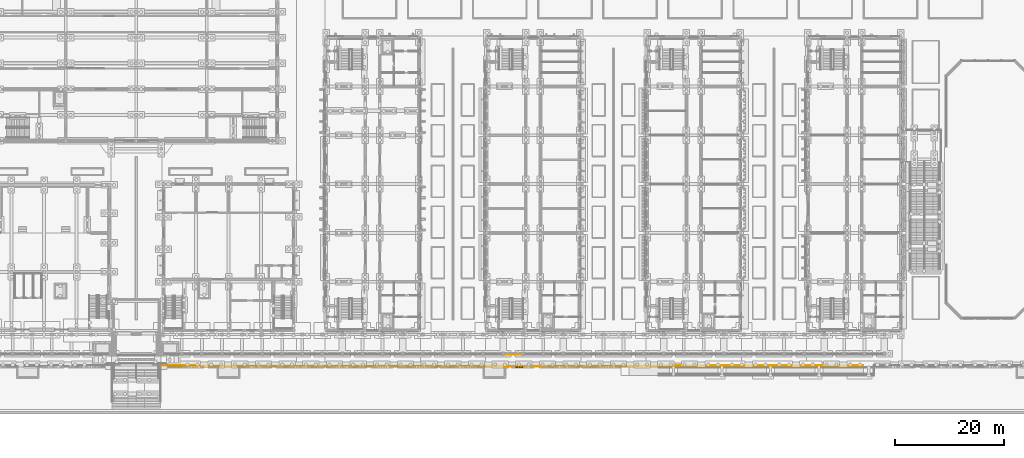
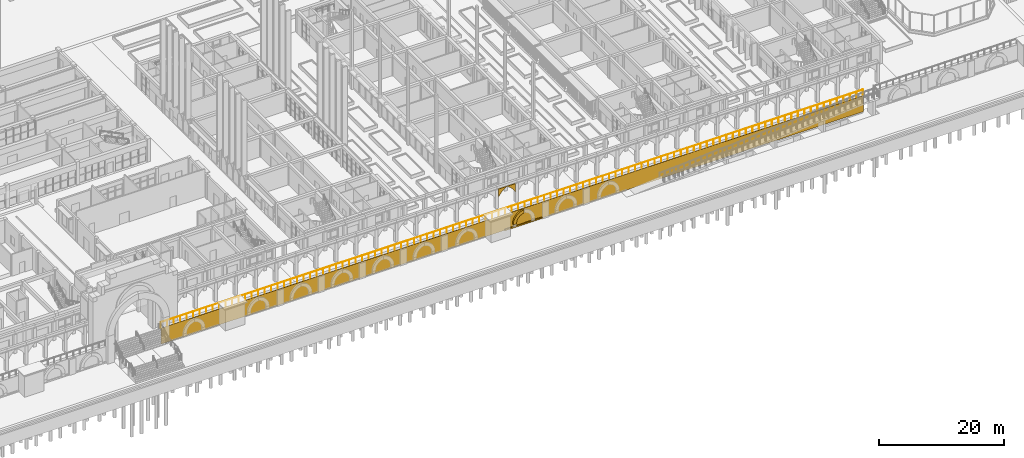
# One storey, part 98 of 161: 5 coverings, 1 railing.
"""IFC4 building model written with IfcOpenShell, lengths in metres."""

from ifc_helpers import new_model, si_unit, direction, frame, frame_2d, origin, origin_2d, place, context, subcontext, project, spatial, polyline, rectangle, circle, outline, extrude, material, layer, layer_set, type_object, element, save


model = new_model("IFC4")

# Units and contexts
model_context = context("Model", 3, precision=1e-05, world=origin(), true_north=direction((0.0, 1.0)))
body_context = subcontext(model_context, "Body", "Model", "MODEL_VIEW")
ifc_project = project(units=[si_unit("LENGTHUNIT", "METRE"), si_unit("AREAUNIT", "SQUARE_METRE"), si_unit("VOLUMEUNIT", "CUBIC_METRE"), si_unit("PLANEANGLEUNIT", "RADIAN"), si_unit("MASSUNIT", "GRAM", prefix="KILO")], contexts=[model_context])

# Site, building, storey
site_placement = place(None, origin())
site = spatial("IfcSite", under=ifc_project, at=site_placement, CompositionType="ELEMENT")
building_placement = place(site_placement, origin())
building = spatial("IfcBuilding", under=site, at=building_placement, Name="Elbe Cascade School", CompositionType="ELEMENT")
storey_placement = place(building_placement, origin())
storey = spatial("IfcBuildingStorey", under=building, at=storey_placement, Name="L00", CompositionType="ELEMENT", Elevation=0.0)

# Coverings
ifc_material_1 = material(Name="Sandstone - red", Category="masonry")
ifc_layer_1 = layer(ifc_material_1, 0.14990234375)
ifc_layer_set_1 = layer_set([ifc_layer_1], Name="Sandstone - red")
covering_type_1 = type_object("IfcCoveringType", Name="Plinth base course 150x250", PredefinedType="CLADDING", material=ifc_layer_set_1)
covering_1_placement = place(storey_placement, frame((0.0, 0.0, -3.10009765625)))
element("IfcCovering", 1, at=covering_1_placement, inside=storey, type_object=covering_type_1, Name="Plinth base course south 0.5.1", PredefinedType="CLADDING", context=body_context, shape_type="SweptSolid", body=[
    extrude(outline(polyline([(101.800048828125, -0.7099609375), (108.699951171875, -0.7099609375), (108.699951171875, -0.56005859375), (101.800048828125, -0.56005859375), (101.800048828125, -0.7099609375)])), origin(), (0.0, 0.0, 1.0), 0.25),
])
ifc_material_2 = material(Name="Sandstone - red", Category="masonry")
ifc_layer_2 = layer(ifc_material_2, 0.300048828125)
ifc_layer_set_2 = layer_set([ifc_layer_2], Name="Sandstone - red")
covering_type_2 = type_object("IfcCoveringType", Name="Plinth niche arch band 600x300", PredefinedType="CLADDING", material=ifc_layer_set_2)
covering_2_placement = place(storey_placement, frame((103.25, -0.860107421875, -2.35009765625), z_axis=(0.0, -1.0, 0.0), x_axis=(1.0, 0.0, 0.0)))
element("IfcCovering", 2, at=covering_2_placement, inside=storey, type_object=covering_type_2, Name="Plinth niche arch band south 0.5.1a", PredefinedType="CLADDING", context=body_context, shape_type="SweptSolid", body=[
    extrude(outline(polyline([(0.0, 0.0), (0.60009765625, 0.0), (0.616455078125, 0.234619140625), (0.665771484375, 0.464599609375), (0.746826171875, 0.685302734375), (0.85791015625, 0.892578125), (0.997314453125, 1.08203125), (1.16162109375, 1.250244140625), (1.347900390625, 1.393798828125), (1.552490234375, 1.509521484375), (1.771240234375, 1.595703125), (2.0, 1.650146484375), (2.0, 2.256103515625), (1.6767578125, 2.193115234375), (1.365966796875, 2.083984375), (1.07421875, 1.930908203125), (0.807861328125, 1.737548828125), (0.572021484375, 1.507568359375), (0.371826171875, 1.245849609375), (0.2119140625, 0.9580078125), (0.094970703125, 0.650146484375), (0.02392578125, 0.32861328125), (0.0, 0.0)])), origin(), (0.0, 0.0, -1.0), 0.300048828125),
])

# Railing
ifc_material_3 = material(Name="Steel S355J2H", Category="steel")
railing_type = type_object("IfcRailingType", Name="Quay and steps guard 1100", PredefinedType="GUARDRAIL", material=ifc_material_3)
railing_placement = place(storey_placement, frame((38.5, -0.39990234375, 0.0)))
element("IfcRailing", 3, at=railing_placement, inside=storey, type_object=railing_type, Name="Quay guard 2", PredefinedType="GUARDRAIL", context=body_context, shape_type="SweptSolid", body=[
    extrude(circle(Radius=0.02392578125, at=origin_2d()), frame((0.0, 0.0, 1.076171875), z_axis=(1.0, 0.0, 0.0), x_axis=(0.0, 1.0, 0.0)), (0.0, 0.0, 1.0), 129.5),
    extrude(circle(Radius=0.02099609375, at=origin_2d()), origin(), (0.0, 0.0, 1.0), 1.052001953125),
    extrude(circle(Radius=0.02099609375, at=origin_2d()), frame((1.198974609375, 0.0, 0.0)), (0.0, 0.0, 1.0), 1.052001953125),
    extrude(circle(Radius=0.02099609375, at=origin_2d()), frame((2.398193359375, 0.0, 0.0)), (0.0, 0.0, 1.0), 1.052001953125),
    extrude(circle(Radius=0.02099609375, at=origin_2d()), frame((3.59716796875, 0.0, 0.0)), (0.0, 0.0, 1.0), 1.052001953125),
    extrude(circle(Radius=0.02099609375, at=origin_2d()), frame((4.79638671875, 0.0, 0.0)), (0.0, 0.0, 1.0), 1.052001953125),
    extrude(circle(Radius=0.02099609375, at=origin_2d()), frame((5.995361328125, 0.0, 0.0)), (0.0, 0.0, 1.0), 1.052001953125),
    extrude(circle(Radius=0.02099609375, at=origin_2d()), frame((7.1943359375, 0.0, 0.0)), (0.0, 0.0, 1.0), 1.052001953125),
    extrude(circle(Radius=0.02099609375, at=origin_2d()), frame((8.3935546875, 0.0, 0.0)), (0.0, 0.0, 1.0), 1.052001953125),
    extrude(circle(Radius=0.02099609375, at=origin_2d()), frame((9.592529296875, 0.0, 0.0)), (0.0, 0.0, 1.0), 1.052001953125),
    extrude(circle(Radius=0.02099609375, at=origin_2d()), frame((10.791748046875, 0.0, 0.0)), (0.0, 0.0, 1.0), 1.052001953125),
    extrude(circle(Radius=0.02099609375, at=origin_2d()), frame((11.99072265625, 0.0, 0.0)), (0.0, 0.0, 1.0), 1.052001953125),
    extrude(circle(Radius=0.02099609375, at=origin_2d()), frame((13.189697265625, 0.0, 0.0)), (0.0, 0.0, 1.0), 1.052001953125),
    extrude(circle(Radius=0.02099609375, at=origin_2d()), frame((14.388916015625, 0.0, 0.0)), (0.0, 0.0, 1.0), 1.052001953125),
    extrude(circle(Radius=0.02099609375, at=origin_2d()), frame((15.587890625, 0.0, 0.0)), (0.0, 0.0, 1.0), 1.052001953125),
    extrude(circle(Radius=0.02099609375, at=origin_2d()), frame((16.787109375, 0.0, 0.0)), (0.0, 0.0, 1.0), 1.052001953125),
    extrude(circle(Radius=0.02099609375, at=origin_2d()), frame((17.986083984375, 0.0, 0.0)), (0.0, 0.0, 1.0), 1.052001953125),
    extrude(circle(Radius=0.02099609375, at=origin_2d()), frame((19.185302734375, 0.0, 0.0)), (0.0, 0.0, 1.0), 1.052001953125),
    extrude(circle(Radius=0.02099609375, at=origin_2d()), frame((20.38427734375, 0.0, 0.0)), (0.0, 0.0, 1.0), 1.052001953125),
    extrude(circle(Radius=0.02099609375, at=origin_2d()), frame((21.583251953125, 0.0, 0.0)), (0.0, 0.0, 1.0), 1.052001953125),
    extrude(circle(Radius=0.02099609375, at=origin_2d()), frame((22.782470703125, 0.0, 0.0)), (0.0, 0.0, 1.0), 1.052001953125),
    extrude(circle(Radius=0.02099609375, at=origin_2d()), frame((23.9814453125, 0.0, 0.0)), (0.0, 0.0, 1.0), 1.052001953125),
    extrude(circle(Radius=0.02099609375, at=origin_2d()), frame((25.1806640625, 0.0, 0.0)), (0.0, 0.0, 1.0), 1.052001953125),
    extrude(circle(Radius=0.02099609375, at=origin_2d()), frame((26.379638671875, 0.0, 0.0)), (0.0, 0.0, 1.0), 1.052001953125),
    extrude(circle(Radius=0.02099609375, at=origin_2d()), frame((27.57861328125, 0.0, 0.0)), (0.0, 0.0, 1.0), 1.052001953125),
    extrude(circle(Radius=0.02099609375, at=origin_2d()), frame((28.77783203125, 0.0, 0.0)), (0.0, 0.0, 1.0), 1.052001953125),
    extrude(circle(Radius=0.02099609375, at=origin_2d()), frame((29.976806640625, 0.0, 0.0)), (0.0, 0.0, 1.0), 1.052001953125),
    extrude(circle(Radius=0.02099609375, at=origin_2d()), frame((31.176025390625, 0.0, 0.0)), (0.0, 0.0, 1.0), 1.052001953125),
    extrude(circle(Radius=0.02099609375, at=origin_2d()), frame((32.375, 0.0, 0.0)), (0.0, 0.0, 1.0), 1.052001953125),
    extrude(circle(Radius=0.02099609375, at=origin_2d()), frame((33.573974609375, 0.0, 0.0)), (0.0, 0.0, 1.0), 1.052001953125),
    extrude(circle(Radius=0.02099609375, at=origin_2d()), frame((34.773193359375, 0.0, 0.0)), (0.0, 0.0, 1.0), 1.052001953125),
    extrude(circle(Radius=0.02099609375, at=origin_2d()), frame((35.97216796875, 0.0, 0.0)), (0.0, 0.0, 1.0), 1.052001953125),
    extrude(circle(Radius=0.02099609375, at=origin_2d()), frame((37.17138671875, 0.0, 0.0)), (0.0, 0.0, 1.0), 1.052001953125),
    extrude(circle(Radius=0.02099609375, at=origin_2d()), frame((38.370361328125, 0.0, 0.0)), (0.0, 0.0, 1.0), 1.052001953125),
    extrude(circle(Radius=0.02099609375, at=origin_2d()), frame((39.5693359375, 0.0, 0.0)), (0.0, 0.0, 1.0), 1.052001953125),
    extrude(circle(Radius=0.02099609375, at=origin_2d()), frame((40.7685546875, 0.0, 0.0)), (0.0, 0.0, 1.0), 1.052001953125),
    extrude(circle(Radius=0.02099609375, at=origin_2d()), frame((41.967529296875, 0.0, 0.0)), (0.0, 0.0, 1.0), 1.052001953125),
    extrude(circle(Radius=0.02099609375, at=origin_2d()), frame((43.166748046875, 0.0, 0.0)), (0.0, 0.0, 1.0), 1.052001953125),
    extrude(circle(Radius=0.02099609375, at=origin_2d()), frame((44.36572265625, 0.0, 0.0)), (0.0, 0.0, 1.0), 1.052001953125),
    extrude(circle(Radius=0.02099609375, at=origin_2d()), frame((45.564697265625, 0.0, 0.0)), (0.0, 0.0, 1.0), 1.052001953125),
    extrude(circle(Radius=0.02099609375, at=origin_2d()), frame((46.763916015625, 0.0, 0.0)), (0.0, 0.0, 1.0), 1.052001953125),
    extrude(circle(Radius=0.02099609375, at=origin_2d()), frame((47.962890625, 0.0, 0.0)), (0.0, 0.0, 1.0), 1.052001953125),
    extrude(circle(Radius=0.02099609375, at=origin_2d()), frame((49.162109375, 0.0, 0.0)), (0.0, 0.0, 1.0), 1.052001953125),
    extrude(circle(Radius=0.02099609375, at=origin_2d()), frame((50.361083984375, 0.0, 0.0)), (0.0, 0.0, 1.0), 1.052001953125),
    extrude(circle(Radius=0.02099609375, at=origin_2d()), frame((51.560302734375, 0.0, 0.0)), (0.0, 0.0, 1.0), 1.052001953125),
    extrude(circle(Radius=0.02099609375, at=origin_2d()), frame((52.75927734375, 0.0, 0.0)), (0.0, 0.0, 1.0), 1.052001953125),
    extrude(circle(Radius=0.02099609375, at=origin_2d()), frame((53.958251953125, 0.0, 0.0)), (0.0, 0.0, 1.0), 1.052001953125),
    extrude(circle(Radius=0.02099609375, at=origin_2d()), frame((55.157470703125, 0.0, 0.0)), (0.0, 0.0, 1.0), 1.052001953125),
    extrude(circle(Radius=0.02099609375, at=origin_2d()), frame((56.3564453125, 0.0, 0.0)), (0.0, 0.0, 1.0), 1.052001953125),
    extrude(circle(Radius=0.02099609375, at=origin_2d()), frame((57.5556640625, 0.0, 0.0)), (0.0, 0.0, 1.0), 1.052001953125),
    extrude(circle(Radius=0.02099609375, at=origin_2d()), frame((58.754638671875, 0.0, 0.0)), (0.0, 0.0, 1.0), 1.052001953125),
    extrude(circle(Radius=0.02099609375, at=origin_2d()), frame((59.95361328125, 0.0, 0.0)), (0.0, 0.0, 1.0), 1.052001953125),
    extrude(circle(Radius=0.02099609375, at=origin_2d()), frame((61.15283203125, 0.0, 0.0)), (0.0, 0.0, 1.0), 1.052001953125),
    extrude(circle(Radius=0.02099609375, at=origin_2d()), frame((62.351806640625, 0.0, 0.0)), (0.0, 0.0, 1.0), 1.052001953125),
    extrude(circle(Radius=0.02099609375, at=origin_2d()), frame((63.551025390625, 0.0, 0.0)), (0.0, 0.0, 1.0), 1.052001953125),
    extrude(circle(Radius=0.02099609375, at=origin_2d()), frame((64.75, 0.0, 0.0)), (0.0, 0.0, 1.0), 1.052001953125),
    extrude(circle(Radius=0.02099609375, at=origin_2d()), frame((65.948974609375, 0.0, 0.0)), (0.0, 0.0, 1.0), 1.052001953125),
    extrude(circle(Radius=0.02099609375, at=origin_2d()), frame((67.148193359375, 0.0, 0.0)), (0.0, 0.0, 1.0), 1.052001953125),
    extrude(circle(Radius=0.02099609375, at=origin_2d()), frame((68.34716796875, 0.0, 0.0)), (0.0, 0.0, 1.0), 1.052001953125),
    extrude(circle(Radius=0.02099609375, at=origin_2d()), frame((69.54638671875, 0.0, 0.0)), (0.0, 0.0, 1.0), 1.052001953125),
    extrude(circle(Radius=0.02099609375, at=origin_2d()), frame((70.745361328125, 0.0, 0.0)), (0.0, 0.0, 1.0), 1.052001953125),
    extrude(circle(Radius=0.02099609375, at=origin_2d()), frame((71.9443359375, 0.0, 0.0)), (0.0, 0.0, 1.0), 1.052001953125),
    extrude(circle(Radius=0.02099609375, at=origin_2d()), frame((73.1435546875, 0.0, 0.0)), (0.0, 0.0, 1.0), 1.052001953125),
    extrude(circle(Radius=0.02099609375, at=origin_2d()), frame((74.342529296875, 0.0, 0.0)), (0.0, 0.0, 1.0), 1.052001953125),
    extrude(circle(Radius=0.02099609375, at=origin_2d()), frame((75.541748046875, 0.0, 0.0)), (0.0, 0.0, 1.0), 1.052001953125),
    extrude(circle(Radius=0.02099609375, at=origin_2d()), frame((76.74072265625, 0.0, 0.0)), (0.0, 0.0, 1.0), 1.052001953125),
    extrude(circle(Radius=0.02099609375, at=origin_2d()), frame((77.939697265625, 0.0, 0.0)), (0.0, 0.0, 1.0), 1.052001953125),
    extrude(circle(Radius=0.02099609375, at=origin_2d()), frame((79.138916015625, 0.0, 0.0)), (0.0, 0.0, 1.0), 1.052001953125),
    extrude(circle(Radius=0.02099609375, at=origin_2d()), frame((80.337890625, 0.0, 0.0)), (0.0, 0.0, 1.0), 1.052001953125),
    extrude(circle(Radius=0.02099609375, at=origin_2d()), frame((81.537109375, 0.0, 0.0)), (0.0, 0.0, 1.0), 1.052001953125),
    extrude(circle(Radius=0.02099609375, at=origin_2d()), frame((82.736083984375, 0.0, 0.0)), (0.0, 0.0, 1.0), 1.052001953125),
    extrude(circle(Radius=0.02099609375, at=origin_2d()), frame((83.935302734375, 0.0, 0.0)), (0.0, 0.0, 1.0), 1.052001953125),
    extrude(circle(Radius=0.02099609375, at=origin_2d()), frame((85.13427734375, 0.0, 0.0)), (0.0, 0.0, 1.0), 1.052001953125),
    extrude(circle(Radius=0.02099609375, at=origin_2d()), frame((86.333251953125, 0.0, 0.0)), (0.0, 0.0, 1.0), 1.052001953125),
    extrude(circle(Radius=0.02099609375, at=origin_2d()), frame((87.532470703125, 0.0, 0.0)), (0.0, 0.0, 1.0), 1.052001953125),
    extrude(circle(Radius=0.02099609375, at=origin_2d()), frame((88.7314453125, 0.0, 0.0)), (0.0, 0.0, 1.0), 1.052001953125),
    extrude(circle(Radius=0.02099609375, at=origin_2d()), frame((89.9306640625, 0.0, 0.0)), (0.0, 0.0, 1.0), 1.052001953125),
    extrude(circle(Radius=0.02099609375, at=origin_2d()), frame((91.129638671875, 0.0, 0.0)), (0.0, 0.0, 1.0), 1.052001953125),
    extrude(circle(Radius=0.02099609375, at=origin_2d()), frame((92.32861328125, 0.0, 0.0)), (0.0, 0.0, 1.0), 1.052001953125),
    extrude(circle(Radius=0.02099609375, at=origin_2d()), frame((93.52783203125, 0.0, 0.0)), (0.0, 0.0, 1.0), 1.052001953125),
    extrude(circle(Radius=0.02099609375, at=origin_2d()), frame((94.726806640625, 0.0, 0.0)), (0.0, 0.0, 1.0), 1.052001953125),
    extrude(circle(Radius=0.02099609375, at=origin_2d()), frame((95.926025390625, 0.0, 0.0)), (0.0, 0.0, 1.0), 1.052001953125),
    extrude(circle(Radius=0.02099609375, at=origin_2d()), frame((97.125, 0.0, 0.0)), (0.0, 0.0, 1.0), 1.052001953125),
    extrude(circle(Radius=0.02099609375, at=origin_2d()), frame((98.323974609375, 0.0, 0.0)), (0.0, 0.0, 1.0), 1.052001953125),
    extrude(circle(Radius=0.02099609375, at=origin_2d()), frame((99.523193359375, 0.0, 0.0)), (0.0, 0.0, 1.0), 1.052001953125),
    extrude(circle(Radius=0.02099609375, at=origin_2d()), frame((100.72216796875, 0.0, 0.0)), (0.0, 0.0, 1.0), 1.052001953125),
    extrude(circle(Radius=0.02099609375, at=origin_2d()), frame((101.92138671875, 0.0, 0.0)), (0.0, 0.0, 1.0), 1.052001953125),
    extrude(circle(Radius=0.02099609375, at=origin_2d()), frame((103.120361328125, 0.0, 0.0)), (0.0, 0.0, 1.0), 1.052001953125),
    extrude(circle(Radius=0.02099609375, at=origin_2d()), frame((104.3193359375, 0.0, 0.0)), (0.0, 0.0, 1.0), 1.052001953125),
    extrude(circle(Radius=0.02099609375, at=origin_2d()), frame((105.5185546875, 0.0, 0.0)), (0.0, 0.0, 1.0), 1.052001953125),
    extrude(circle(Radius=0.02099609375, at=origin_2d()), frame((106.717529296875, 0.0, 0.0)), (0.0, 0.0, 1.0), 1.052001953125),
    extrude(circle(Radius=0.02099609375, at=origin_2d()), frame((107.916748046875, 0.0, 0.0)), (0.0, 0.0, 1.0), 1.052001953125),
    extrude(circle(Radius=0.02099609375, at=origin_2d()), frame((109.11572265625, 0.0, 0.0)), (0.0, 0.0, 1.0), 1.052001953125),
    extrude(circle(Radius=0.02099609375, at=origin_2d()), frame((110.314697265625, 0.0, 0.0)), (0.0, 0.0, 1.0), 1.052001953125),
    extrude(circle(Radius=0.02099609375, at=origin_2d()), frame((111.513916015625, 0.0, 0.0)), (0.0, 0.0, 1.0), 1.052001953125),
    extrude(circle(Radius=0.02099609375, at=origin_2d()), frame((112.712890625, 0.0, 0.0)), (0.0, 0.0, 1.0), 1.052001953125),
    extrude(circle(Radius=0.02099609375, at=origin_2d()), frame((113.912109375, 0.0, 0.0)), (0.0, 0.0, 1.0), 1.052001953125),
    extrude(circle(Radius=0.02099609375, at=origin_2d()), frame((115.111083984375, 0.0, 0.0)), (0.0, 0.0, 1.0), 1.052001953125),
    extrude(circle(Radius=0.02099609375, at=origin_2d()), frame((116.310302734375, 0.0, 0.0)), (0.0, 0.0, 1.0), 1.052001953125),
    extrude(circle(Radius=0.02099609375, at=origin_2d()), frame((117.50927734375, 0.0, 0.0)), (0.0, 0.0, 1.0), 1.052001953125),
    extrude(circle(Radius=0.02099609375, at=origin_2d()), frame((118.708251953125, 0.0, 0.0)), (0.0, 0.0, 1.0), 1.052001953125),
    extrude(circle(Radius=0.02099609375, at=origin_2d()), frame((119.907470703125, 0.0, 0.0)), (0.0, 0.0, 1.0), 1.052001953125),
    extrude(circle(Radius=0.02099609375, at=origin_2d()), frame((121.1064453125, 0.0, 0.0)), (0.0, 0.0, 1.0), 1.052001953125),
    extrude(circle(Radius=0.02099609375, at=origin_2d()), frame((122.3056640625, 0.0, 0.0)), (0.0, 0.0, 1.0), 1.052001953125),
    extrude(circle(Radius=0.02099609375, at=origin_2d()), frame((123.504638671875, 0.0, 0.0)), (0.0, 0.0, 1.0), 1.052001953125),
    extrude(circle(Radius=0.02099609375, at=origin_2d()), frame((124.70361328125, 0.0, 0.0)), (0.0, 0.0, 1.0), 1.052001953125),
    extrude(circle(Radius=0.02099609375, at=origin_2d()), frame((125.90283203125, 0.0, 0.0)), (0.0, 0.0, 1.0), 1.052001953125),
    extrude(circle(Radius=0.02099609375, at=origin_2d()), frame((127.101806640625, 0.0, 0.0)), (0.0, 0.0, 1.0), 1.052001953125),
    extrude(circle(Radius=0.02099609375, at=origin_2d()), frame((128.301025390625, 0.0, 0.0)), (0.0, 0.0, 1.0), 1.052001953125),
    extrude(circle(Radius=0.02099609375, at=origin_2d()), frame((129.5, 0.0, 0.0)), (0.0, 0.0, 1.0), 1.052001953125),
])

# Coverings
ifc_material_4 = material(Name="Sandstone - red", Category="masonry")
ifc_layer_3 = layer(ifc_material_4, 0.14990234375)
ifc_layer_set_3 = layer_set([ifc_layer_3], Name="Sandstone - red")
covering_type_3 = type_object("IfcCoveringType", Name="Sandstone arch spandrel 3170x150", PredefinedType="CLADDING", material=ifc_layer_set_3)
covering_3_placement = place(storey_placement, frame((101.864990234375, 1.52490234375, 3.64990234375), z_axis=(0.0, -1.0, 0.0), x_axis=(0.0, 0.0, -1.0)))
element("IfcCovering", 4, at=covering_3_placement, inside=storey, type_object=covering_type_3, Name="Colonnade arch spandrel 26l", PredefinedType="CLADDING", context=body_context, shape_type="SweptSolid", body=[
    extrude(outline(polyline([(0.0, 0.0), (1.64990234375, 0.0), (1.39697265625, 0.141845703125), (1.155029296875, 0.3017578125), (0.92529296875, 0.478759765625), (0.709228515625, 0.672119140625), (0.507568359375, 0.88037109375), (0.3212890625, 1.102783203125), (0.15185546875, 1.337890625), (0.0, 1.5849609375), (0.0, 0.0)])), origin(), (0.0, 0.0, -1.0), 0.14990234375),
])
covering_4_placement = place(storey_placement, frame((103.449951171875, 1.52490234375, 3.64990234375), z_axis=(0.0, -1.0, 0.0), x_axis=(0.851947232707, 0.0, -0.52362764698)))
element("IfcCovering", 5, at=covering_4_placement, inside=storey, type_object=covering_type_3, Name="Colonnade arch spandrel 26r", PredefinedType="CLADDING", context=body_context, shape_type="SweptSolid", body=[
    extrude(outline(polyline([(0.0, 0.0), (0.2900065908011918, 0.0), (0.5792338172011682, -0.021111896437985944), (0.866258188207625, -0.06335089842938235), (1.1492726964852549, -0.12610823030003315), (1.4269340071906127, -0.20906326745450166), (1.6980266242612543, -0.3121033802272114), (1.960951535291733, -0.4344919541630051), (2.2142375666576024, -0.5757003697365862), (1.3503030846525463, 0.8299293662587784), (0.0, 0.0)])), origin(), (0.0, 0.0, -1.0), 0.14990234375),
])
ifc_material_5 = material(Name="Sandstone - red", Category="masonry")
ifc_layer_4 = layer(ifc_material_5, 0.06005859375)
ifc_layer_set_4 = layer_set([ifc_layer_4], Name="Sandstone - red")
covering_type_4 = type_object("IfcCoveringType", Name="Sandstone facing 60", PredefinedType="CLADDING", material=ifc_layer_set_4)
covering_5_placement = place(storey_placement, frame((38.5, -0.530029296875, -3.10009765625), z_axis=(0.0, 0.0, 1.0), x_axis=(1.0, 0.0, 0.0)))
element("IfcCovering", 6, at=covering_5_placement, inside=storey, type_object=covering_type_4, Name="Quay wall sandstone facing 2", PredefinedType="CLADDING", context=body_context, shape_type="SweptSolid", body=[
    extrude(rectangle(XDim=129.5, YDim=0.06005859375, at=frame_2d((64.75, 0.0))), origin(), (0.0, 0.0, 1.0), 3.10009765625),
])

save(model, "model.ifc")
